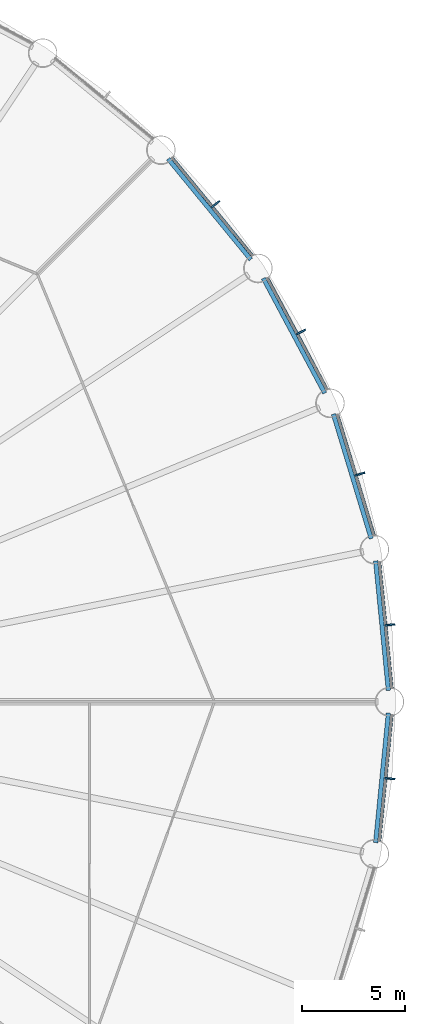
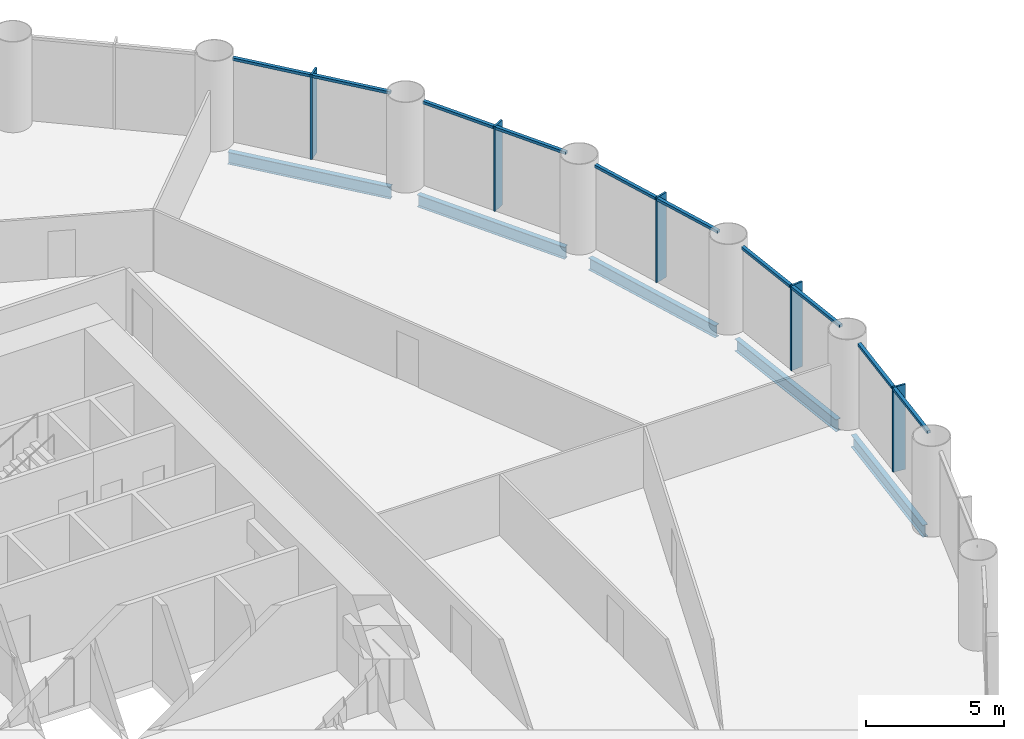
# One storey, part 6 of 15: 15 members, 5 beams, 5 elements without a shape of their own.
"""IFC4 building model written with IfcOpenShell, lengths in metres."""

from ifc_helpers import new_model, si_unit, direction, frame, origin, origin_2d, place, context, subcontext, project, spatial, rectangle, i_section, extrude, material, material_profile, profile_set, type_object, element, aggregate, save


model = new_model("IFC4")

# Units and contexts
model_context = context("Model", 3, precision=1e-05, world=origin(), true_north=direction((0.0, 1.0)))
body_context = subcontext(model_context, "Body", "Model", "MODEL_VIEW")
ifc_project = project(units=[si_unit("LENGTHUNIT", "METRE"), si_unit("AREAUNIT", "SQUARE_METRE"), si_unit("VOLUMEUNIT", "CUBIC_METRE"), si_unit("PLANEANGLEUNIT", "RADIAN"), si_unit("MASSUNIT", "GRAM", prefix="KILO")], contexts=[model_context])

# Site, building, storey
site_placement = place(None, origin())
site = spatial("IfcSite", under=ifc_project, at=site_placement, CompositionType="ELEMENT")
building_placement = place(site_placement, origin())
building = spatial("IfcBuilding", under=site, at=building_placement, Name="Corvane Civic Tower", CompositionType="ELEMENT")
storey_placement = place(building_placement, frame((0.0, 0.0, 61.0)))
storey = spatial("IfcBuildingStorey", under=building, at=storey_placement, Name="L13", CompositionType="ELEMENT", Elevation=61.0)

# Beams
ifc_material_1 = material(Name="Steel ASTM A992 Gr 50", Category="steel")
ifc_material_profile_1 = material_profile(ifc_material_1, i_section(OverallWidth=0.209228515625, OverallDepth=0.533447265625, WebThickness=0.01025390625, FlangeThickness=0.015625, at=origin_2d()), Name="W21X62")
ifc_profile_set_1 = profile_set([ifc_material_profile_1], Name="Steel ASTM A992 Gr 50")
beam_type = type_object("IfcBeamType", Name="EDGE BEAM W21X62", PredefinedType="BEAM", material=ifc_profile_set_1)
beam_placement = place(storey_placement, frame((27.0068359375, 26.23291015625, -0.566650390625), z_axis=(0.634386787141, -0.773015785286, 0.0), x_axis=(0.773015785286, 0.634386787141, 0.0)))
element("IfcBeam", 1, at=beam_placement, inside=storey, type_object=beam_type, Name="BM-L13-E05", PredefinedType="BEAM", context=body_context, shape_type="SweptSolid", body=[
    extrude(i_section(OverallWidth=0.209228515625, OverallDepth=0.533447265625, WebThickness=0.01025390625, FlangeThickness=0.015625, at=origin_2d()), origin(), (0.0, 0.0, 1.0), 6.290771484375),
])
for number, where, z_axis, x_axis, name in (
    (2, (31.605712890625, 20.4599609375, -0.566650390625), (0.471405897311, -0.881916367906, 0.0), (0.881916367906, 0.471405897311, 0.0), "BM-L13-E06"),
    (3, (34.989990234375, 13.90087890625, -0.566650390625), (0.290273452184, -0.956943740748, 0.0), (0.956943740748, 0.290273452184, 0.0), "BM-L13-E07"),
):
    element("IfcBeam", number, at=place(storey_placement, frame(where, z_axis=z_axis, x_axis=x_axis)), inside=storey, type_object=beam_type, Name=name, PredefinedType="BEAM", context=body_context, shape_type="SweptSolid", body=[
        extrude(i_section(OverallWidth=0.209228515625, OverallDepth=0.533447265625, WebThickness=0.01025390625, FlangeThickness=0.015625, at=origin_2d()), origin(), (0.0, 0.0, 1.0), 6.290283203125),
    ])
for number, where, z_axis, x_axis, name in (
    (4, (37.029541015625, 6.8076171875, -0.566650390625), (0.097997284622, -0.995186682089, 0.0), (0.995186682089, 0.097997284622, 0.0), "BM-L13-E08"),
    (5, (37.64599609375, -0.54736328125, -0.566650390625), (-0.097997284622, -0.995186682089, 0.0), (0.995186682089, -0.097997284622, 0.0), "BM-L13-E09"),
):
    element("IfcBeam", number, at=place(storey_placement, frame(where, z_axis=z_axis, x_axis=x_axis)), inside=storey, type_object=beam_type, Name=name, PredefinedType="BEAM", context=body_context, shape_type="SweptSolid", body=[
        extrude(i_section(OverallWidth=0.209228515625, OverallDepth=0.533447265625, WebThickness=0.01025390625, FlangeThickness=0.015625, at=origin_2d()), origin(), (0.0, 0.0, 1.0), 6.29052734375),
    ])

# Curtain wall, members
ifc_material_2 = material(Name="Anodised aluminium bronze", Category="aluminium")
curtain_wall_type = type_object("IfcCurtainWallType", Name="TOWER CW-T1 STICK CURTAIN WALL", PredefinedType="NOTDEFINED", material=ifc_material_2)
curtain_wall_1_placement = place(storey_placement, origin())
curtain_wall_1 = element("IfcCurtainWall", 6, at=curtain_wall_1_placement, inside=storey, type_object=curtain_wall_type, Name="Curtain wall CW-T1 L13 bay 05", PredefinedType="NOTDEFINED")
ifc_material_3 = material(Name="Anodised aluminium bronze", Category="aluminium")
ifc_material_profile_2 = material_profile(ifc_material_3, rectangle(XDim=0.139892578125, YDim=0.1201171875, at=origin_2d()), Name="TOWER CW-T1 TRANSOM 140x120")
ifc_profile_set_2 = profile_set([ifc_material_profile_2], Name="Anodised aluminium bronze")
member_type_1 = type_object("IfcMemberType", Name="TOWER CW-T1 TRANSOM 140x120", PredefinedType="USERDEFINED", material=ifc_profile_set_2)
member_1_placement = place(storey_placement, frame((27.20654296875, 26.271728515625, 3.68994140625), z_axis=(0.634403652865, -0.773001943873, 0.0), x_axis=(0.773001943873, 0.634403652865, 0.0)))
member_1 = element("IfcMember", 7, at=member_1_placement, type_object=member_type_1, Name="Transom CW-T1 L13 05.1", ObjectType="TRANSOM", PredefinedType="USERDEFINED", context=body_context, shape_type="SweptSolid", body=[
    extrude(rectangle(XDim=0.139892578125, YDim=0.1201171875, at=origin_2d()), origin(), (0.0, 0.0, 1.0), 3.008544921875),
])
member_2_placement = place(storey_placement, frame((29.166015625, 23.88427734375, 3.68994140625), z_axis=(0.634355161466, -0.773041738279, 0.0), x_axis=(0.773041738279, 0.634355161466, 0.0)))
member_2 = element("IfcMember", 8, at=member_2_placement, type_object=member_type_1, Name="Transom CW-T1 L13 05.2", ObjectType="TRANSOM", PredefinedType="USERDEFINED", context=body_context, shape_type="SweptSolid", body=[
    extrude(rectangle(XDim=0.139892578125, YDim=0.1201171875, at=origin_2d()), origin(), (0.0, 0.0, 1.0), 3.008544921875),
])

curtain_wall_2_placement = place(storey_placement, origin())
curtain_wall_2 = element("IfcCurtainWall", 9, at=curtain_wall_2_placement, inside=storey, type_object=curtain_wall_type, Name="Curtain wall CW-T1 L13 bay 06", PredefinedType="NOTDEFINED")
member_3_placement = place(storey_placement, frame((31.809326171875, 20.459228515625, 3.68994140625), z_axis=(0.471392506424, -0.881923525532, 0.0), x_axis=(0.881923525532, 0.471392506424, 0.0)))
member_3 = element("IfcMember", 10, at=member_3_placement, type_object=member_type_1, Name="Transom CW-T1 L13 06.1", ObjectType="TRANSOM", PredefinedType="USERDEFINED", context=body_context, shape_type="SweptSolid", body=[
    extrude(rectangle(XDim=0.139892578125, YDim=0.1201171875, at=origin_2d()), origin(), (0.0, 0.0, 1.0), 3.008544921875),
])
member_4_placement = place(storey_placement, frame((33.26513671875, 17.7353515625, 3.68994140625), z_axis=(0.471392506424, -0.881923525532, 0.0), x_axis=(0.881923525532, 0.471392506424, 0.0)))
member_4 = element("IfcMember", 11, at=member_4_placement, type_object=member_type_1, Name="Transom CW-T1 L13 06.2", ObjectType="TRANSOM", PredefinedType="USERDEFINED", context=body_context, shape_type="SweptSolid", body=[
    extrude(rectangle(XDim=0.139892578125, YDim=0.1201171875, at=origin_2d()), origin(), (0.0, 0.0, 1.0), 3.008544921875),
])

curtain_wall_3_placement = place(storey_placement, origin())
curtain_wall_3 = element("IfcCurtainWall", 12, at=curtain_wall_3_placement, inside=storey, type_object=curtain_wall_type, Name="Curtain wall CW-T1 L13 bay 07", PredefinedType="NOTDEFINED")
member_5_placement = place(storey_placement, frame((35.189453125, 13.8603515625, 3.68994140625), z_axis=(0.290279914268, -0.956941780555, 0.0), x_axis=(0.956941780555, 0.290279914268, 0.0)))
member_5 = element("IfcMember", 13, at=member_5_placement, type_object=member_type_1, Name="Transom CW-T1 L13 07.1", ObjectType="TRANSOM", PredefinedType="USERDEFINED", context=body_context, shape_type="SweptSolid", body=[
    extrude(rectangle(XDim=0.139892578125, YDim=0.1201171875, at=origin_2d()), origin(), (0.0, 0.0, 1.0), 3.008544921875),
])
member_6_placement = place(storey_placement, frame((36.0859375, 10.90478515625, 3.68994140625), z_axis=(0.290279914268, -0.956941780555, 0.0), x_axis=(0.956941780555, 0.290279914268, 0.0)))
member_6 = element("IfcMember", 14, at=member_6_placement, type_object=member_type_1, Name="Transom CW-T1 L13 07.2", ObjectType="TRANSOM", PredefinedType="USERDEFINED", context=body_context, shape_type="SweptSolid", body=[
    extrude(rectangle(XDim=0.139892578125, YDim=0.1201171875, at=origin_2d()), origin(), (0.0, 0.0, 1.0), 3.008544921875),
])

curtain_wall_4_placement = place(storey_placement, origin())
curtain_wall_4 = element("IfcCurtainWall", 15, at=curtain_wall_4_placement, inside=storey, type_object=curtain_wall_type, Name="Curtain wall CW-T1 L13 bay 08", PredefinedType="NOTDEFINED")
member_7_placement = place(storey_placement, frame((37.21728515625, 6.72900390625, 3.68994140625), z_axis=(0.097944923917, -0.995191836722, 0.0), x_axis=(0.995191836722, 0.097944923917, 0.0)))
member_7 = element("IfcMember", 16, at=member_7_placement, type_object=member_type_1, Name="Transom CW-T1 L13 08.1", ObjectType="TRANSOM", PredefinedType="USERDEFINED", context=body_context, shape_type="SweptSolid", body=[
    extrude(rectangle(XDim=0.139892578125, YDim=0.1201171875, at=origin_2d()), origin(), (0.0, 0.0, 1.0), 3.008544921875),
])
member_8_placement = place(storey_placement, frame((37.52001953125, 3.6552734375, 3.68994140625), z_axis=(0.097944923917, -0.995191836722, 0.0), x_axis=(0.995191836722, 0.097944923917, 0.0)))
member_8 = element("IfcMember", 17, at=member_8_placement, type_object=member_type_1, Name="Transom CW-T1 L13 08.2", ObjectType="TRANSOM", PredefinedType="USERDEFINED", context=body_context, shape_type="SweptSolid", body=[
    extrude(rectangle(XDim=0.139892578125, YDim=0.1201171875, at=origin_2d()), origin(), (0.0, 0.0, 1.0), 3.008544921875),
])

curtain_wall_5_placement = place(storey_placement, origin())
curtain_wall_5 = element("IfcCurtainWall", 18, at=curtain_wall_5_placement, inside=storey, type_object=curtain_wall_type, Name="Curtain wall CW-T1 L13 bay 09", PredefinedType="NOTDEFINED")
member_9_placement = place(storey_placement, frame((37.814697265625, -0.6611328125, 3.68994140625), z_axis=(-0.097944923917, -0.995191836722, 0.0), x_axis=(0.995191836722, -0.097944923917, 0.0)))
member_9 = element("IfcMember", 19, at=member_9_placement, type_object=member_type_1, Name="Transom CW-T1 L13 09.1", ObjectType="TRANSOM", PredefinedType="USERDEFINED", context=body_context, shape_type="SweptSolid", body=[
    extrude(rectangle(XDim=0.139892578125, YDim=0.1201171875, at=origin_2d()), origin(), (0.0, 0.0, 1.0), 3.008544921875),
])
member_10_placement = place(storey_placement, frame((37.511962890625, -3.73486328125, 3.68994140625), z_axis=(-0.097944923917, -0.995191836722, 0.0), x_axis=(0.995191836722, -0.097944923917, 0.0)))
member_10 = element("IfcMember", 20, at=member_10_placement, type_object=member_type_1, Name="Transom CW-T1 L13 09.2", ObjectType="TRANSOM", PredefinedType="USERDEFINED", context=body_context, shape_type="SweptSolid", body=[
    extrude(rectangle(XDim=0.139892578125, YDim=0.1201171875, at=origin_2d()), origin(), (0.0, 0.0, 1.0), 3.008544921875),
])

# Member
ifc_material_4 = material(Name="Anodised aluminium bronze", Category="aluminium")
ifc_material_profile_3 = material_profile(ifc_material_4, rectangle(XDim=0.080078125, YDim=0.5, at=origin_2d()), Name="TOWER FIN MULLION 80x500 BRONZE")
ifc_profile_set_3 = profile_set([ifc_material_profile_3], Name="Anodised aluminium bronze")
member_type_2 = type_object("IfcMemberType", Name="TOWER FIN MULLION 80x500 BRONZE", PredefinedType="MULLION", material=ifc_profile_set_3)
member_11_placement = place(storey_placement, frame((29.295166015625, 24.0419921875, 0.0), z_axis=(0.0, 0.0, 1.0), x_axis=(0.634397218569, -0.773007224463, 0.0)))
member_11 = element("IfcMember", 21, at=member_11_placement, type_object=member_type_2, Name="Fin mullion 05 L13", PredefinedType="MULLION", context=body_context, shape_type="SweptSolid", body=[
    extrude(rectangle(XDim=0.080078125, YDim=0.5, at=origin_2d()), origin(), (0.0, 0.0, 1.0), 3.75),
])

aggregate(curtain_wall_1, [member_11, member_1, member_2])

member_12_placement = place(storey_placement, frame((33.422607421875, 17.86474609375, 0.0), z_axis=(0.0, 0.0, 1.0), x_axis=(0.471403725359, -0.881917528864, 0.0)))
member_12 = element("IfcMember", 22, at=member_12_placement, type_object=member_type_2, Name="Fin mullion 06 L13", PredefinedType="MULLION", context=body_context, shape_type="SweptSolid", body=[
    extrude(rectangle(XDim=0.080078125, YDim=0.5, at=origin_2d()), origin(), (0.0, 0.0, 1.0), 3.75),
])

aggregate(curtain_wall_2, [member_12, member_3, member_4])

member_13_placement = place(storey_placement, frame((36.265625, 11.001220703125, 0.0), z_axis=(0.0, 0.0, 1.0), x_axis=(0.290278397654, -0.956942240606, 0.0)))
member_13 = element("IfcMember", 23, at=member_13_placement, type_object=member_type_2, Name="Fin mullion 07 L13", PredefinedType="MULLION", context=body_context, shape_type="SweptSolid", body=[
    extrude(rectangle(XDim=0.080078125, YDim=0.5, at=origin_2d()), origin(), (0.0, 0.0, 1.0), 3.75),
])

aggregate(curtain_wall_3, [member_13, member_5, member_6])

member_14_placement = place(storey_placement, frame((37.715087890625, 3.714599609375, 0.0), z_axis=(0.0, 0.0, 1.0), x_axis=(0.098006239521, -0.995185800248, 0.0)))
member_14 = element("IfcMember", 24, at=member_14_placement, type_object=member_type_2, Name="Fin mullion 08 L13", PredefinedType="MULLION", context=body_context, shape_type="SweptSolid", body=[
    extrude(rectangle(XDim=0.080078125, YDim=0.5, at=origin_2d()), origin(), (0.0, 0.0, 1.0), 3.75),
])

aggregate(curtain_wall_4, [member_14, member_7, member_8])

member_15_placement = place(storey_placement, frame((37.715087890625, -3.714599609375, 0.0), z_axis=(0.0, 0.0, 1.0), x_axis=(-0.098006239521, -0.995185800248, 0.0)))
member_15 = element("IfcMember", 25, at=member_15_placement, type_object=member_type_2, Name="Fin mullion 09 L13", PredefinedType="MULLION", context=body_context, shape_type="SweptSolid", body=[
    extrude(rectangle(XDim=0.080078125, YDim=0.5, at=origin_2d()), origin(), (0.0, 0.0, 1.0), 3.75),
])

aggregate(curtain_wall_5, [member_15, member_9, member_10])

save(model, "model.ifc")
